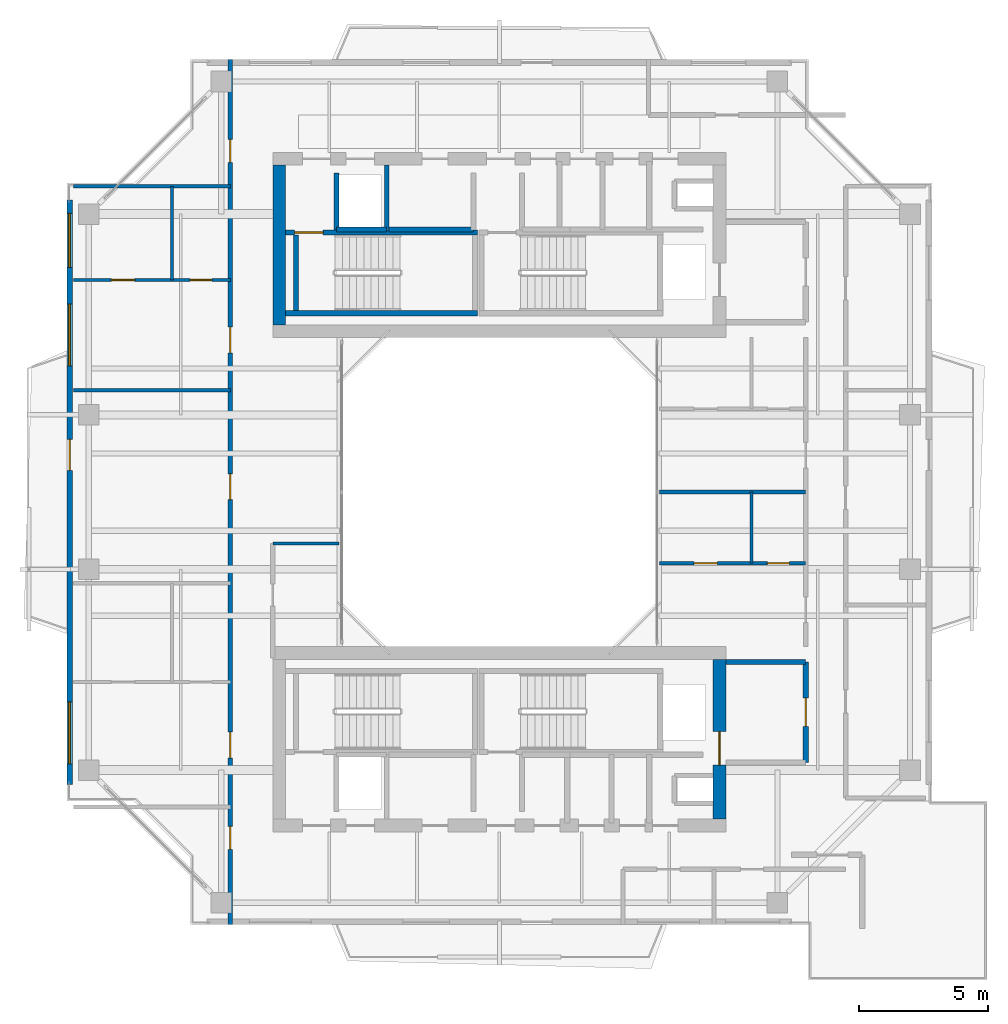
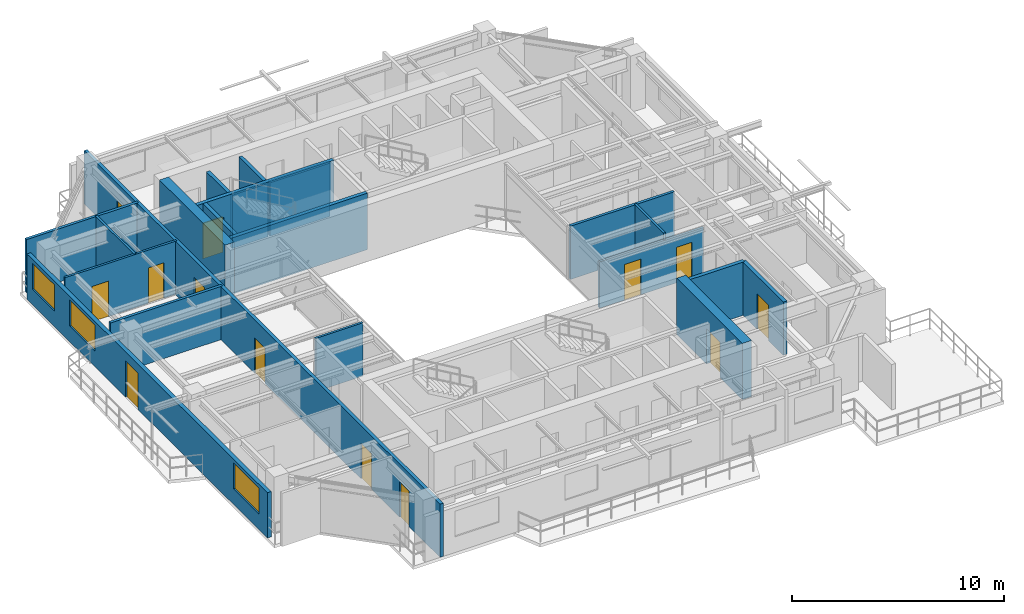
# One storey, part 11 of 16: 21 walls, 13 doors, 3 windows, 16 openings.
"""IFC4 building model written with IfcOpenShell, lengths in metres."""

from ifc_helpers import new_model, si_unit, direction, frame, frame_2d, origin, place, context, subcontext, project, spatial, rectangle, extrude, source, transform, mapped, material, layer, layer_set, type_object, element, fill, save


model = new_model("IFC4")

# Units and contexts
model_context = context("Model", 3, precision=1e-05, world=origin(), true_north=direction((0.0, 1.0)))
body_context = subcontext(model_context, "Body", "Model", "MODEL_VIEW")
ifc_project = project(units=[si_unit("LENGTHUNIT", "METRE"), si_unit("AREAUNIT", "SQUARE_METRE"), si_unit("VOLUMEUNIT", "CUBIC_METRE"), si_unit("PLANEANGLEUNIT", "RADIAN"), si_unit("MASSUNIT", "GRAM", prefix="KILO"), si_unit("THERMODYNAMICTEMPERATUREUNIT", "KELVIN"), si_unit("POWERUNIT", "WATT")], contexts=[model_context])

# Site, building, storey
site_placement = place(None, origin())
site = spatial("IfcSite", under=ifc_project, at=site_placement, CompositionType="ELEMENT")
building_placement = place(site_placement, origin())
building = spatial("IfcBuilding", under=site, at=building_placement, Name="Qiaomeng Ring Towers", CompositionType="ELEMENT")
storey_placement = place(building_placement, frame((0.0, 0.0, 203.5)))
storey = spatial("IfcBuildingStorey", under=building, at=storey_placement, Name="L59", CompositionType="ELEMENT", Elevation=203.5)

# Wall, openings, windows, door
ifc_material_1 = material(Name="Precast concrete C40", Category="concrete")
ifc_layer_1 = layer(ifc_material_1, 0.219970703125, Name="Precast concrete C40")
ifc_layer_set_1 = layer_set([ifc_layer_1], Name="Precast concrete C40")
wall_type_1 = type_object("IfcWallType", Name="ARC-WL-EW2", PredefinedType="STANDARD", material=ifc_layer_set_1)
wall_1_placement = place(storey_placement, frame((2.31005859375, 11.64990234375, 0.0), z_axis=(0.0, 0.0, 1.0), x_axis=(0.0, 1.0, 0.0)))
wall_1 = element("IfcWall", 1, at=wall_1_placement, inside=storey, type_object=wall_type_1, Name="L59 Tower 1 W Exterior Wall", PredefinedType="STANDARD", context=body_context, shape_type="SweptSolid", body=[
    extrude(rectangle(XDim=22.7001953125, YDim=0.219970703125, at=frame_2d((11.35009765625, 0.0))), origin(), (0.0, 0.0, 1.0), 2.610107421875),
])
opening_1_placement = place(wall_1_placement, frame((12.199951171875, 0.0, 0.0)))
opening_1 = element("IfcOpeningElement", 2, at=opening_1_placement, cuts=wall_1, Name="Opening BD1", PredefinedType="OPENING", context=body_context, shape_type="SweptSolid", body=[
    extrude(rectangle(XDim=1.199951171875, YDim=2.10009765625, at=frame_2d((0.60009765625, 1.050048828125))), frame((0.0, 0.119873046875, 0.0), z_axis=(0.0, -1.0, 0.0), x_axis=(1.0, 0.0, 0.0)), (0.0, 0.0, 1.0), 0.239990234375),
])
opening_2_placement = place(wall_1_placement, frame((0.800048828125, 0.0, 0.89990234375)))
opening_2 = element("IfcOpeningElement", 3, at=opening_2_placement, cuts=wall_1, Name="Opening WN6", PredefinedType="OPENING", context=body_context, shape_type="SweptSolid", body=[
    extrude(rectangle(XDim=2.39990234375, YDim=1.5, at=frame_2d((1.199951171875, 0.75))), frame((0.0, 0.119873046875, 0.0), z_axis=(0.0, -1.0, 0.0), x_axis=(1.0, 0.0, 0.0)), (0.0, 0.0, 1.0), 0.239990234375),
])
opening_3_placement = place(wall_1_placement, frame((20.080078125, 0.0, 0.89990234375)))
opening_3 = element("IfcOpeningElement", 4, at=opening_3_placement, cuts=wall_1, Name="Opening WN4", PredefinedType="OPENING", context=body_context, shape_type="SweptSolid", body=[
    extrude(rectangle(XDim=2.10009765625, YDim=1.5, at=frame_2d((1.050048828125, 0.75))), frame((0.0, 0.119873046875, 0.0), z_axis=(0.0, -1.0, 0.0), x_axis=(1.0, 0.0, 0.0)), (0.0, 0.0, 1.0), 0.239990234375),
])
opening_4_placement = place(wall_1_placement, frame((16.257568359375, 0.0, 0.89990234375)))
opening_4 = element("IfcOpeningElement", 5, at=opening_4_placement, cuts=wall_1, Name="Opening WN6", PredefinedType="OPENING", context=body_context, shape_type="SweptSolid", body=[
    extrude(rectangle(XDim=2.39990234375, YDim=1.5, at=frame_2d((1.199951171875, 0.75))), frame((0.0, 0.119873046875, 0.0), z_axis=(0.0, -1.0, 0.0), x_axis=(1.0, 0.0, 0.0)), (0.0, 0.0, 1.0), 0.239990234375),
])
ifc_material_2 = material(Name="Low-E dark-grey laminated double glazing", Category="glass")
window_type_1 = type_object("IfcWindowType", Name="ARC-WN-4", PartitioningType="TRIPLE_PANEL_VERTICAL", PredefinedType="WINDOW", material=ifc_material_2)
shared_shape_1 = source(origin(), body_context, "Body", "SweptSolid", [
    extrude(rectangle(XDim=2.10009765625, YDim=1.5, at=frame_2d((1.050048828125, 0.75))), frame((0.0, 0.030029296875, 0.0), z_axis=(0.0, -1.0, 0.0), x_axis=(1.0, 0.0, 0.0)), (0.0, 0.0, 1.0), 0.06005859375),
])
window_1_placement = place(opening_3_placement, origin())
window_1 = element("IfcWindow", 6, at=window_1_placement, inside=storey, type_object=window_type_1, Name="L59 Exterior Window WN4", OverallHeight=1.5, OverallWidth=2.10009765625, PartitioningType="TRIPLE_PANEL_VERTICAL", PredefinedType="WINDOW", context=body_context, shape_type="MappedRepresentation", body=[
    mapped(shared_shape_1, transform((0.0, 0.0, 0.0), x_axis=(1.0, 0.0, 0.0), y_axis=(0.0, 1.0, 0.0), z_axis=(0.0, 0.0, 1.0), scale=1.0)),
])
fill(opening_3, window_1)
door_type_1 = type_object("IfcDoorType", Name="ARC-DR-BD1", OperationType="NOTDEFINED", PredefinedType="DOOR", material=ifc_material_2)
shared_shape_2 = source(origin(), body_context, "Body", "SweptSolid", [
    extrude(rectangle(XDim=1.199951171875, YDim=2.10009765625, at=frame_2d((0.60009765625, 1.050048828125))), frame((0.0, 0.02490234375, 0.0), z_axis=(0.0, -1.0, 0.0), x_axis=(1.0, 0.0, 0.0)), (0.0, 0.0, 1.0), 0.050048828125),
])
door_1_placement = place(opening_1_placement, frame((1.199951171875, 0.0, 0.0), z_axis=(0.0, 0.0, 1.0), x_axis=(-1.0, 0.0, 0.0)))
door_1 = element("IfcDoor", 7, at=door_1_placement, inside=storey, type_object=door_type_1, Name="L59 W Balcony Glazed Door", OperationType="SINGLE_SWING_LEFT", OverallHeight=2.10009765625, OverallWidth=1.199951171875, PredefinedType="DOOR", context=body_context, shape_type="MappedRepresentation", body=[
    mapped(shared_shape_2, transform((0.0, 0.0, 0.0), x_axis=(1.0, 0.0, 0.0), y_axis=(0.0, 1.0, 0.0), z_axis=(0.0, 0.0, 1.0), scale=1.0)),
])
fill(opening_1, door_1)
window_type_2 = type_object("IfcWindowType", Name="ARC-WN-6", PartitioningType="TRIPLE_PANEL_VERTICAL", PredefinedType="WINDOW", material=ifc_material_2)
shared_shape_3 = source(origin(), body_context, "Body", "SweptSolid", [
    extrude(rectangle(XDim=2.39990234375, YDim=1.5, at=frame_2d((1.199951171875, 0.75))), frame((0.0, 0.030029296875, 0.0), z_axis=(0.0, -1.0, 0.0), x_axis=(1.0, 0.0, 0.0)), (0.0, 0.0, 1.0), 0.06005859375),
])
window_2_placement = place(opening_2_placement, origin())
window_2 = element("IfcWindow", 8, at=window_2_placement, inside=storey, type_object=window_type_2, Name="L59 Exterior Window WN6", OverallHeight=1.5, OverallWidth=2.39990234375, PartitioningType="TRIPLE_PANEL_VERTICAL", PredefinedType="WINDOW", context=body_context, shape_type="MappedRepresentation", body=[
    mapped(shared_shape_3, transform((0.0, 0.0, 0.0), x_axis=(1.0, 0.0, 0.0), y_axis=(0.0, 1.0, 0.0), z_axis=(0.0, 0.0, 1.0), scale=1.0)),
])
fill(opening_2, window_2)
window_3_placement = place(opening_4_placement, origin())
window_3 = element("IfcWindow", 9, at=window_3_placement, inside=storey, type_object=window_type_2, Name="L59 Exterior Window WN6", OverallHeight=1.5, OverallWidth=2.39990234375, PartitioningType="TRIPLE_PANEL_VERTICAL", PredefinedType="WINDOW", context=body_context, shape_type="MappedRepresentation", body=[
    mapped(shared_shape_3, transform((0.0, 0.0, 0.0), x_axis=(1.0, 0.0, 0.0), y_axis=(0.0, 1.0, 0.0), z_axis=(0.0, 0.0, 1.0), scale=1.0)),
])
fill(opening_4, window_3)

# Wall
ifc_material_3 = material(Name="Autoclaved aerated concrete block", Category="concrete")
ifc_layer_2 = layer(ifc_material_3, 0.199951171875, Name="Autoclaved aerated concrete block")
ifc_layer_set_2 = layer_set([ifc_layer_2], Name="Autoclaved aerated concrete block")
wall_type_2 = type_object("IfcWallType", Name="ARC-WL-PW1", PredefinedType="PARTITIONING", material=ifc_layer_set_2)
wall_2_placement = place(storey_placement, frame((27.800048828125, 16.39990234375, 0.0), z_axis=(0.0, 0.0, 1.0), x_axis=(1.0, 0.0, 0.0)))
element("IfcWall", 10, at=wall_2_placement, inside=storey, type_object=wall_type_2, Name="L59 Interior Wall PW1", PredefinedType="PARTITIONING", context=body_context, shape_type="SweptSolid", body=[
    extrude(rectangle(XDim=3.099853515625, YDim=0.199951171875, at=frame_2d((1.5498046875, 0.0))), origin(), (0.0, 0.0, 1.0), 3.070068359375),
])

# Wall, opening, door
wall_3_placement = place(storey_placement, frame((30.89990234375, 12.5, 0.0), z_axis=(0.0, 0.0, 1.0), x_axis=(0.0, 1.0, 0.0)))
wall_3 = element("IfcWall", 11, at=wall_3_placement, inside=storey, type_object=wall_type_2, Name="L59 Interior Wall PW1", PredefinedType="PARTITIONING", context=body_context, shape_type="SweptSolid", body=[
    extrude(rectangle(XDim=3.89990234375, YDim=0.199951171875, at=frame_2d((1.949951171875, 0.0))), origin(), (0.0, 0.0, 1.0), 3.070068359375),
])
opening_5_placement = place(wall_3_placement, frame((1.39990234375, 0.0, 0.0)))
opening_5 = element("IfcOpeningElement", 12, at=opening_5_placement, cuts=wall_3, Name="Opening FD3", PredefinedType="OPENING", context=body_context, shape_type="SweptSolid", body=[
    extrude(rectangle(XDim=1.10009765625, YDim=2.050048828125, at=frame_2d((0.550048828125, 1.02490234375))), frame((0.0, 0.10986328125, 0.0), z_axis=(0.0, -1.0, 0.0), x_axis=(1.0, 0.0, 0.0)), (0.0, 0.0, 1.0), 0.219970703125),
])
ifc_material_4 = material(Name="Galvanised steel", Category="steel")
door_type_2 = type_object("IfcDoorType", Name="ARC-DR-FD3", OperationType="NOTDEFINED", PredefinedType="DOOR", material=ifc_material_4)
shared_shape_4 = source(origin(), body_context, "Body", "SweptSolid", [
    extrude(rectangle(XDim=1.10009765625, YDim=2.050048828125, at=frame_2d((0.550048828125, 1.02490234375))), frame((0.0, 0.02490234375, 0.0), z_axis=(0.0, -1.0, 0.0), x_axis=(1.0, 0.0, 0.0)), (0.0, 0.0, 1.0), 0.050048828125),
])
door_2_placement = place(opening_5_placement, origin())
door_2 = element("IfcDoor", 13, at=door_2_placement, inside=storey, type_object=door_type_2, Name="L59 South FF Lobby Door", OperationType="SINGLE_SWING_RIGHT", OverallHeight=2.050048828125, OverallWidth=1.10009765625, PredefinedType="DOOR", context=body_context, shape_type="MappedRepresentation", body=[
    mapped(shared_shape_4, transform((0.0, 0.0, 0.0), x_axis=(1.0, 0.0, 0.0), y_axis=(0.0, 1.0, 0.0), z_axis=(0.0, 0.0, 1.0), scale=1.0)),
])
fill(opening_5, door_2)

# Walls
wall_4_placement = place(storey_placement, frame((12.679931640625, 33.18994140625, 0.0), z_axis=(0.0, 0.0, 1.0), x_axis=(0.0, 1.0, 0.0)))
element("IfcWall", 14, at=wall_4_placement, inside=storey, type_object=wall_type_2, Name="L59 Interior Wall PW1", PredefinedType="PARTITIONING", context=body_context, shape_type="SweptSolid", body=[
    extrude(rectangle(XDim=2.2099609375, YDim=0.199951171875, at=frame_2d((1.10498046875, 0.0))), origin(), (0.0, 0.0, 1.0), 3.070068359375),
])
wall_5_placement = place(storey_placement, frame((14.719970703125, 33.199951171875, 0.0), z_axis=(0.0, 0.0, 1.0), x_axis=(1.0, 0.0, 0.0)))
element("IfcWall", 15, at=wall_5_placement, inside=storey, type_object=wall_type_2, Name="L59 Interior Wall PW1", PredefinedType="PARTITIONING", context=body_context, shape_type="SweptSolid", body=[
    extrude(rectangle(XDim=3.280029296875, YDim=0.199951171875, at=frame_2d((1.64013671875, 0.0))), origin(), (0.0, 0.0, 1.0), 3.070068359375),
])

# Wall, openings, doors
ifc_layer_3 = layer(ifc_material_3, 0.179931640625, Name="Autoclaved aerated concrete block")
ifc_layer_set_3 = layer_set([ifc_layer_3], Name="Autoclaved aerated concrete block")
wall_type_3 = type_object("IfcWallType", Name="ARC-WL-PW2", PredefinedType="PARTITIONING", material=ifc_layer_set_3)
wall_6_placement = place(storey_placement, frame((8.550048828125, 6.199951171875, 0.0), z_axis=(0.0, 0.0, 1.0), x_axis=(0.0, 1.0, 0.0)))
wall_6 = element("IfcWall", 16, at=wall_6_placement, inside=storey, type_object=wall_type_3, Name="L59 Interior Wall PW2", PredefinedType="PARTITIONING", context=body_context, shape_type="SweptSolid", body=[
    extrude(rectangle(XDim=33.60009765625, YDim=0.179931640625, at=frame_2d((16.800048828125, 0.0))), origin(), (0.0, 0.0, 1.0), 3.070068359375),
])
opening_6_placement = place(wall_6_placement, frame((29.60498046875, 0.0, 0.0)))
opening_6 = element("IfcOpeningElement", 17, at=opening_6_placement, cuts=wall_6, Name="Opening ID1", PredefinedType="OPENING", context=body_context, shape_type="SweptSolid", body=[
    extrude(rectangle(XDim=0.89990234375, YDim=2.050048828125, at=frame_2d((0.449951171875, 1.02490234375))), frame((0.0, 0.099853515625, 0.0), z_axis=(0.0, -1.0, 0.0), x_axis=(1.0, 0.0, 0.0)), (0.0, 0.0, 1.0), 0.199951171875),
])
opening_7_placement = place(wall_6_placement, frame((2.919921875, 0.0, 0.0)))
opening_7 = element("IfcOpeningElement", 18, at=opening_7_placement, cuts=wall_6, Name="Opening ID1", PredefinedType="OPENING", context=body_context, shape_type="SweptSolid", body=[
    extrude(rectangle(XDim=0.89990234375, YDim=2.050048828125, at=frame_2d((0.449951171875, 1.02490234375))), frame((0.0, 0.099853515625, 0.0), z_axis=(0.0, -1.0, 0.0), x_axis=(1.0, 0.0, 0.0)), (0.0, 0.0, 1.0), 0.199951171875),
])
opening_8_placement = place(wall_6_placement, frame((6.47998046875, 0.0, 0.0)))
opening_8 = element("IfcOpeningElement", 19, at=opening_8_placement, cuts=wall_6, Name="Opening FD4", PredefinedType="OPENING", context=body_context, shape_type="SweptSolid", body=[
    extrude(rectangle(XDim=1.0, YDim=2.050048828125, at=frame_2d((0.5, 1.02490234375))), frame((0.0, 0.099853515625, 0.0), z_axis=(0.0, -1.0, 0.0), x_axis=(1.0, 0.0, 0.0)), (0.0, 0.0, 1.0), 0.199951171875),
])
opening_9_placement = place(wall_6_placement, frame((16.510009765625, 0.0, 0.0)))
opening_9 = element("IfcOpeningElement", 20, at=opening_9_placement, cuts=wall_6, Name="Opening FD4", PredefinedType="OPENING", context=body_context, shape_type="SweptSolid", body=[
    extrude(rectangle(XDim=1.0, YDim=2.050048828125, at=frame_2d((0.5, 1.02490234375))), frame((0.0, 0.099853515625, 0.0), z_axis=(0.0, -1.0, 0.0), x_axis=(1.0, 0.0, 0.0)), (0.0, 0.0, 1.0), 0.199951171875),
])
opening_10_placement = place(wall_6_placement, frame((22.2099609375, 0.0, 0.0)))
opening_10 = element("IfcOpeningElement", 21, at=opening_10_placement, cuts=wall_6, Name="Opening FD4", PredefinedType="OPENING", context=body_context, shape_type="SweptSolid", body=[
    extrude(rectangle(XDim=1.0, YDim=2.050048828125, at=frame_2d((0.5, 1.02490234375))), frame((0.0, 0.099853515625, 0.0), z_axis=(0.0, -1.0, 0.0), x_axis=(1.0, 0.0, 0.0)), (0.0, 0.0, 1.0), 0.199951171875),
])
ifc_material_5 = material(Name="Engineered fire-rated oak timber", Category="wood")
door_type_3 = type_object("IfcDoorType", Name="ARC-DR-FD4", OperationType="NOTDEFINED", PredefinedType="DOOR", material=ifc_material_5)
shared_shape_5 = source(origin(), body_context, "Body", "SweptSolid", [
    extrude(rectangle(XDim=1.0, YDim=2.050048828125, at=frame_2d((0.5, 1.02490234375))), frame((0.0, 0.02490234375, 0.0), z_axis=(0.0, -1.0, 0.0), x_axis=(1.0, 0.0, 0.0)), (0.0, 0.0, 1.0), 0.050048828125),
])
door_3_placement = place(opening_8_placement, origin())
door_3 = element("IfcDoor", 22, at=door_3_placement, inside=storey, type_object=door_type_3, Name="L59 Door FD4", OperationType="SINGLE_SWING_RIGHT", OverallHeight=2.050048828125, OverallWidth=1.0, PredefinedType="DOOR", context=body_context, shape_type="MappedRepresentation", body=[
    mapped(shared_shape_5, transform((0.0, 0.0, 0.0), x_axis=(1.0, 0.0, 0.0), y_axis=(0.0, 1.0, 0.0), z_axis=(0.0, 0.0, 1.0), scale=1.0)),
])
fill(opening_8, door_3)
door_4_placement = place(opening_9_placement, origin())
door_4 = element("IfcDoor", 23, at=door_4_placement, inside=storey, type_object=door_type_3, Name="L59 Door FD4", OperationType="SINGLE_SWING_LEFT", OverallHeight=2.050048828125, OverallWidth=1.0, PredefinedType="DOOR", context=body_context, shape_type="MappedRepresentation", body=[
    mapped(shared_shape_5, transform((0.0, 0.0, 0.0), x_axis=(1.0, 0.0, 0.0), y_axis=(0.0, 1.0, 0.0), z_axis=(0.0, 0.0, 1.0), scale=1.0)),
])
fill(opening_9, door_4)
door_5_placement = place(opening_10_placement, origin())
door_5 = element("IfcDoor", 24, at=door_5_placement, inside=storey, type_object=door_type_3, Name="L59 Door FD4", OperationType="SINGLE_SWING_RIGHT", OverallHeight=2.050048828125, OverallWidth=1.0, PredefinedType="DOOR", context=body_context, shape_type="MappedRepresentation", body=[
    mapped(shared_shape_5, transform((0.0, 0.0, 0.0), x_axis=(1.0, 0.0, 0.0), y_axis=(0.0, 1.0, 0.0), z_axis=(0.0, 0.0, 1.0), scale=1.0)),
])
fill(opening_10, door_5)
ifc_material_6 = material(Name="Engineered oak timber", Category="wood")
door_type_4 = type_object("IfcDoorType", Name="ARC-DR-ID1", OperationType="NOTDEFINED", PredefinedType="DOOR", material=ifc_material_6)
shared_shape_6 = source(origin(), body_context, "Body", "SweptSolid", [
    extrude(rectangle(XDim=0.89990234375, YDim=2.050048828125, at=frame_2d((0.449951171875, 1.02490234375))), frame((0.0, 0.02490234375, 0.0), z_axis=(0.0, -1.0, 0.0), x_axis=(1.0, 0.0, 0.0)), (0.0, 0.0, 1.0), 0.050048828125),
])
door_6_placement = place(opening_6_placement, origin())
door_6 = element("IfcDoor", 25, at=door_6_placement, inside=storey, type_object=door_type_4, Name="L59 Door ID1", OperationType="SINGLE_SWING_RIGHT", OverallHeight=2.050048828125, OverallWidth=0.89990234375, PredefinedType="DOOR", context=body_context, shape_type="MappedRepresentation", body=[
    mapped(shared_shape_6, transform((0.0, 0.0, 0.0), x_axis=(1.0, 0.0, 0.0), y_axis=(0.0, 1.0, 0.0), z_axis=(0.0, 0.0, 1.0), scale=1.0)),
])
fill(opening_6, door_6)
door_7_placement = place(opening_7_placement, origin())
door_7 = element("IfcDoor", 26, at=door_7_placement, inside=storey, type_object=door_type_4, Name="L59 Door ID1", OperationType="SINGLE_SWING_LEFT", OverallHeight=2.050048828125, OverallWidth=0.89990234375, PredefinedType="DOOR", context=body_context, shape_type="MappedRepresentation", body=[
    mapped(shared_shape_6, transform((0.0, 0.0, 0.0), x_axis=(1.0, 0.0, 0.0), y_axis=(0.0, 1.0, 0.0), z_axis=(0.0, 0.0, 1.0), scale=1.0)),
])
fill(opening_7, door_7)

# Walls
ifc_material_7 = material(Name="Gypsum fireboard steel-stud partition", Category="steel")
ifc_layer_4 = layer(ifc_material_7, 0.14990234375, Name="Gypsum fireboard steel-stud partition")
ifc_layer_set_4 = layer_set([ifc_layer_4], Name="Gypsum fireboard steel-stud partition")
wall_type_4 = type_object("IfcWallType", Name="ARC-WL-PW3", PredefinedType="PARTITIONING", material=ifc_layer_set_4)
for number, where, z_axis, x_axis, name in (
    (27, (2.449951171875, 34.8798828125, 0.0), (0.0, 0.0, 1.0), (1.0, 0.0, 0.0), "L59 Interior Wall PW3"),
    (28, (2.449951171875, 26.9599609375, 0.0), (0.0, 0.0, 1.0), (1.0, 0.0, 0.0), "L59 Interior Wall PW3"),
):
    element("IfcWall", number, at=place(storey_placement, frame(where, z_axis=z_axis, x_axis=x_axis)), inside=storey, type_object=wall_type_4, Name=name, PredefinedType="PARTITIONING", context=body_context, shape_type="SweptSolid", body=[
        extrude(rectangle(XDim=6.10009765625, YDim=0.14990234375, at=frame_2d((3.050048828125, 0.0))), origin(), (0.0, 0.0, 1.0), 3.070068359375),
    ])
wall_7_placement = place(storey_placement, frame((25.219970703125, 23.0, 0.0), z_axis=(0.0, 0.0, 1.0), x_axis=(1.0, 0.0, 0.0)))
element("IfcWall", 29, at=wall_7_placement, inside=storey, type_object=wall_type_4, Name="L59 Interior Wall PW3", PredefinedType="PARTITIONING", context=body_context, shape_type="SweptSolid", body=[
    extrude(rectangle(XDim=5.679931640625, YDim=0.14990234375, at=frame_2d((2.83984375, 0.0))), origin(), (0.0, 0.0, 1.0), 3.070068359375),
])

# Wall, openings, doors
ifc_material_8 = material(Name="Moisture-resistant gypsum steel-stud partition", Category="steel")
ifc_layer_5 = layer(ifc_material_8, 0.1201171875, Name="Moisture-resistant gypsum steel-stud partition")
ifc_layer_set_5 = layer_set([ifc_layer_5], Name="Moisture-resistant gypsum steel-stud partition")
wall_type_5 = type_object("IfcWallType", Name="ARC-WL-PW4", PredefinedType="PLUMBINGWALL", material=ifc_layer_set_5)
wall_8_placement = place(storey_placement, frame((2.449951171875, 31.239990234375, 0.0), z_axis=(0.0, 0.0, 1.0), x_axis=(1.0, 0.0, 0.0)))
wall_8 = element("IfcWall", 30, at=wall_8_placement, inside=storey, type_object=wall_type_5, Name="L59 Interior Wall PW4", PredefinedType="PLUMBINGWALL", context=body_context, shape_type="SweptSolid", body=[
    extrude(rectangle(XDim=6.10009765625, YDim=0.1201171875, at=frame_2d((3.050048828125, 0.0))), origin(), (0.0, 0.0, 1.0), 3.070068359375),
])
opening_11_placement = place(wall_8_placement, frame((1.47998046875, 0.0, 0.0)))
opening_11 = element("IfcOpeningElement", 31, at=opening_11_placement, cuts=wall_8, Name="Opening ID1", PredefinedType="OPENING", context=body_context, shape_type="SweptSolid", body=[
    extrude(rectangle(XDim=0.89990234375, YDim=2.050048828125, at=frame_2d((0.449951171875, 1.02490234375))), frame((0.0, 0.070068359375, 0.0), z_axis=(0.0, -1.0, 0.0), x_axis=(1.0, 0.0, 0.0)), (0.0, 0.0, 1.0), 0.14013671875),
])
opening_12_placement = place(wall_8_placement, frame((4.534912109375, 0.0, 0.0)))
opening_12 = element("IfcOpeningElement", 32, at=opening_12_placement, cuts=wall_8, Name="Opening ID2", PredefinedType="OPENING", context=body_context, shape_type="SweptSolid", body=[
    extrude(rectangle(XDim=0.85009765625, YDim=2.050048828125, at=frame_2d((0.425048828125, 1.02490234375))), frame((0.0, 0.070068359375, 0.0), z_axis=(0.0, -1.0, 0.0), x_axis=(1.0, 0.0, 0.0)), (0.0, 0.0, 1.0), 0.14013671875),
])
ifc_material_9 = material(Name="Moisture-resistant engineered timber", Category="wood")
door_type_5 = type_object("IfcDoorType", Name="ARC-DR-ID2", OperationType="NOTDEFINED", PredefinedType="DOOR", material=ifc_material_9)
shared_shape_7 = source(origin(), body_context, "Body", "SweptSolid", [
    extrude(rectangle(XDim=0.85009765625, YDim=2.050048828125, at=frame_2d((0.425048828125, 1.02490234375))), frame((0.0, 0.02490234375, 0.0), z_axis=(0.0, -1.0, 0.0), x_axis=(1.0, 0.0, 0.0)), (0.0, 0.0, 1.0), 0.050048828125),
])
door_8_placement = place(opening_12_placement, origin())
door_8 = element("IfcDoor", 33, at=door_8_placement, inside=storey, type_object=door_type_5, Name="L59 Door ID2", OperationType="SINGLE_SWING_LEFT", OverallHeight=2.050048828125, OverallWidth=0.85009765625, PredefinedType="DOOR", context=body_context, shape_type="MappedRepresentation", body=[
    mapped(shared_shape_7, transform((0.0, 0.0, 0.0), x_axis=(1.0, 0.0, 0.0), y_axis=(0.0, 1.0, 0.0), z_axis=(0.0, 0.0, 1.0), scale=1.0)),
])
fill(opening_12, door_8)
door_9_placement = place(opening_11_placement, origin())
door_9 = element("IfcDoor", 34, at=door_9_placement, inside=storey, type_object=door_type_4, Name="L59 Door ID1", OperationType="SINGLE_SWING_RIGHT", OverallHeight=2.050048828125, OverallWidth=0.89990234375, PredefinedType="DOOR", context=body_context, shape_type="MappedRepresentation", body=[
    mapped(shared_shape_6, transform((0.0, 0.0, 0.0), x_axis=(1.0, 0.0, 0.0), y_axis=(0.0, 1.0, 0.0), z_axis=(0.0, 0.0, 1.0), scale=1.0)),
])
fill(opening_11, door_9)

# Walls
wall_9_placement = place(storey_placement, frame((6.2900390625, 31.239990234375, 0.0), z_axis=(0.0, 0.0, 1.0), x_axis=(0.0, 1.0, 0.0)))
element("IfcWall", 35, at=wall_9_placement, inside=storey, type_object=wall_type_5, Name="L59 Interior Wall PW4", PredefinedType="PLUMBINGWALL", context=body_context, shape_type="SweptSolid", body=[
    extrude(rectangle(XDim=3.639892578125, YDim=0.1201171875, at=frame_2d((1.81982421875, 0.0))), origin(), (0.0, 0.0, 1.0), 3.070068359375),
])
wall_10_placement = place(storey_placement, frame((10.199951171875, 21.0, 0.0), z_axis=(0.0, 0.0, 1.0), x_axis=(1.0, 0.0, 0.0)))
element("IfcWall", 36, at=wall_10_placement, inside=storey, type_object=wall_type_5, Name="L59 Interior Wall PW4", PredefinedType="PLUMBINGWALL", context=body_context, shape_type="SweptSolid", body=[
    extrude(rectangle(XDim=2.580078125, YDim=0.1201171875, at=frame_2d((1.2900390625, 0.0))), origin(), (0.0, 0.0, 1.0), 3.070068359375),
])

# Wall, openings, doors
wall_11_placement = place(storey_placement, frame((25.219970703125, 20.239990234375, 0.0), z_axis=(0.0, 0.0, 1.0), x_axis=(1.0, 0.0, 0.0)))
wall_11 = element("IfcWall", 37, at=wall_11_placement, inside=storey, type_object=wall_type_5, Name="L59 Interior Wall PW4", PredefinedType="PLUMBINGWALL", context=body_context, shape_type="SweptSolid", body=[
    extrude(rectangle(XDim=5.679931640625, YDim=0.1201171875, at=frame_2d((2.83984375, 0.0))), origin(), (0.0, 0.0, 1.0), 2.675048828125),
])
opening_13_placement = place(wall_11_placement, frame((1.35009765625, 0.0, 0.0)))
opening_13 = element("IfcOpeningElement", 38, at=opening_13_placement, cuts=wall_11, Name="Opening ID1", PredefinedType="OPENING", context=body_context, shape_type="SweptSolid", body=[
    extrude(rectangle(XDim=0.89990234375, YDim=2.050048828125, at=frame_2d((0.449951171875, 1.02490234375))), frame((0.0, 0.070068359375, 0.0), z_axis=(0.0, -1.0, 0.0), x_axis=(1.0, 0.0, 0.0)), (0.0, 0.0, 1.0), 0.14013671875),
])
opening_14_placement = place(wall_11_placement, frame((4.195068359375, 0.0, 0.0)))
opening_14 = element("IfcOpeningElement", 39, at=opening_14_placement, cuts=wall_11, Name="Opening ID2", PredefinedType="OPENING", context=body_context, shape_type="SweptSolid", body=[
    extrude(rectangle(XDim=0.85009765625, YDim=2.050048828125, at=frame_2d((0.425048828125, 1.02490234375))), frame((0.0, 0.070068359375, 0.0), z_axis=(0.0, -1.0, 0.0), x_axis=(1.0, 0.0, 0.0)), (0.0, 0.0, 1.0), 0.14013671875),
])
door_10_placement = place(opening_14_placement, origin())
door_10 = element("IfcDoor", 40, at=door_10_placement, inside=storey, type_object=door_type_5, Name="L59 Door ID2", OperationType="SINGLE_SWING_LEFT", OverallHeight=2.050048828125, OverallWidth=0.85009765625, PredefinedType="DOOR", context=body_context, shape_type="MappedRepresentation", body=[
    mapped(shared_shape_7, transform((0.0, 0.0, 0.0), x_axis=(1.0, 0.0, 0.0), y_axis=(0.0, 1.0, 0.0), z_axis=(0.0, 0.0, 1.0), scale=1.0)),
])
fill(opening_14, door_10)
door_11_placement = place(opening_13_placement, origin())
door_11 = element("IfcDoor", 41, at=door_11_placement, inside=storey, type_object=door_type_4, Name="L59 Door ID1", OperationType="SINGLE_SWING_RIGHT", OverallHeight=2.050048828125, OverallWidth=0.89990234375, PredefinedType="DOOR", context=body_context, shape_type="MappedRepresentation", body=[
    mapped(shared_shape_6, transform((0.0, 0.0, 0.0), x_axis=(1.0, 0.0, 0.0), y_axis=(0.0, 1.0, 0.0), z_axis=(0.0, 0.0, 1.0), scale=1.0)),
])
fill(opening_13, door_11)

# Walls
wall_12_placement = place(storey_placement, frame((28.800048828125, 20.239990234375, 0.0), z_axis=(0.0, 0.0, 1.0), x_axis=(0.0, 1.0, 0.0)))
element("IfcWall", 42, at=wall_12_placement, inside=storey, type_object=wall_type_5, Name="L59 Interior Wall PW4", PredefinedType="PLUMBINGWALL", context=body_context, shape_type="SweptSolid", body=[
    extrude(rectangle(XDim=2.760009765625, YDim=0.1201171875, at=frame_2d((1.3798828125, 0.0))), origin(), (0.0, 0.0, 1.0), 3.070068359375),
])
ifc_material_10 = material(Name="Concrete C40", Category="concrete")
ifc_layer_6 = layer(ifc_material_10, 0.199951171875, Name="Concrete C40")
ifc_layer_set_6 = layer_set([ifc_layer_6], Name="Concrete C40")
wall_type_6 = type_object("IfcWallType", Name="STR-WL-STSHAFT", PredefinedType="SHEAR", material=ifc_layer_set_6)
wall_13_placement = place(storey_placement, frame((12.679931640625, 33.199951171875, 0.0), z_axis=(0.0, 0.0, 1.0), x_axis=(1.0, 0.0, 0.0)))
element("IfcWall", 43, at=wall_13_placement, inside=storey, type_object=wall_type_6, Name="L59 Lift LP5 Shaft Back Wall", PredefinedType="SHEAR", context=body_context, shape_type="SweptSolid", body=[
    extrude(rectangle(XDim=1.940185546875, YDim=0.179931640625, at=frame_2d((0.97021484375, 0.0))), origin(), (0.0, 0.0, 1.0), 3.070068359375),
])
wall_14_placement = place(storey_placement, frame((14.6201171875, 33.199951171875, 0.0), z_axis=(0.0, 0.0, 1.0), x_axis=(0.0, 1.0, 0.0)))
element("IfcWall", 44, at=wall_14_placement, inside=storey, type_object=wall_type_6, Name="L59 Lift LP5-LP3 Shaft Divider Wall", PredefinedType="SHEAR", context=body_context, shape_type="SweptSolid", body=[
    extrude(rectangle(XDim=2.5, YDim=0.179931640625, at=frame_2d((1.25, 0.0))), origin(), (0.0, 0.0, 1.0), 3.070068359375),
])
wall_15_placement = place(storey_placement, frame((10.699951171875, 29.949951171875, 0.0), z_axis=(0.0, 0.0, 1.0), x_axis=(1.0, 0.0, 0.0)))
element("IfcWall", 45, at=wall_15_placement, inside=storey, type_object=wall_type_6, Name="L59 Stair ST1 South Shaft Shear Wall", PredefinedType="SHEAR", context=body_context, shape_type="SweptSolid", body=[
    extrude(rectangle(XDim=7.449951171875, YDim=0.199951171875, at=frame_2d((3.72509765625, 0.0))), origin(), (0.0, 0.0, 1.0), 3.25),
])

# Wall, opening, door
wall_16_placement = place(storey_placement, frame((10.699951171875, 33.090087890625, 0.0), z_axis=(0.0, 0.0, 1.0), x_axis=(1.0, 0.0, 0.0)))
wall_16 = element("IfcWall", 46, at=wall_16_placement, inside=storey, type_object=wall_type_6, Name="L59 Stair ST1 North Shaft Shear Wall", PredefinedType="SHEAR", context=body_context, shape_type="SweptSolid", body=[
    extrude(rectangle(XDim=7.449951171875, YDim=0.199951171875, at=frame_2d((3.72509765625, 0.0))), origin(), (0.0, 0.0, 1.0), 3.25),
])
opening_15_placement = place(wall_16_placement, frame((0.35009765625, 0.0, 0.0)))
opening_15 = element("IfcOpeningElement", 47, at=opening_15_placement, cuts=wall_16, Name="Opening FD3", PredefinedType="OPENING", context=body_context, shape_type="SweptSolid", body=[
    extrude(rectangle(XDim=1.10009765625, YDim=2.050048828125, at=frame_2d((0.550048828125, 1.02490234375))), frame((0.0, 0.10986328125, 0.0), z_axis=(0.0, -1.0, 0.0), x_axis=(1.0, 0.0, 0.0)), (0.0, 0.0, 1.0), 0.219970703125),
])
door_12_placement = place(opening_15_placement, origin())
door_12 = element("IfcDoor", 48, at=door_12_placement, inside=storey, type_object=door_type_2, Name="L59 Stair ST1 Exit Door", OperationType="SINGLE_SWING_RIGHT", OverallHeight=2.050048828125, OverallWidth=1.10009765625, PredefinedType="DOOR", context=body_context, shape_type="MappedRepresentation", body=[
    mapped(shared_shape_4, transform((0.0, 0.0, 0.0), x_axis=(1.0, 0.0, 0.0), y_axis=(0.0, 1.0, 0.0), z_axis=(0.0, 0.0, 1.0), scale=1.0)),
])
fill(opening_15, door_12)

# Walls
wall_17_placement = place(storey_placement, frame((11.10009765625, 30.050048828125, 0.0), z_axis=(0.0, 0.0, 1.0), x_axis=(0.0, 1.0, 0.0)))
element("IfcWall", 49, at=wall_17_placement, inside=storey, type_object=wall_type_6, Name="L59 Stair ST1 West Shaft Shear Wall", PredefinedType="SHEAR", context=body_context, shape_type="SweptSolid", body=[
    extrude(rectangle(XDim=2.93994140625, YDim=0.199951171875, at=frame_2d((1.469970703125, 0.0))), origin(), (0.0, 0.0, 1.0), 3.25),
])
ifc_layer_7 = layer(ifc_material_10, 0.5, Name="Concrete C40")
ifc_layer_set_7 = layer_set([ifc_layer_7], Name="Concrete C40")
wall_type_7 = type_object("IfcWallType", Name="STR-WL-SW3", PredefinedType="SHEAR", material=ifc_layer_set_7)
wall_18_placement = place(storey_placement, frame((10.449951171875, 29.5, 0.0), z_axis=(0.0, 0.0, 1.0), x_axis=(0.0, 1.0, 0.0)))
element("IfcWall", 50, at=wall_18_placement, inside=storey, type_object=wall_type_7, Name="L59 T1NC west core shear wall", PredefinedType="SHEAR", context=body_context, shape_type="SweptSolid", body=[
    extrude(rectangle(XDim=6.199951171875, YDim=0.5, at=frame_2d((3.10009765625, 0.0))), origin(), (0.0, 0.0, 1.0), 3.25),
])

# Wall, opening, door
wall_19_placement = place(storey_placement, frame((27.550048828125, 10.300048828125, 0.0), z_axis=(0.0, 0.0, 1.0), x_axis=(0.0, 1.0, 0.0)))
wall_19 = element("IfcWall", 51, at=wall_19_placement, inside=storey, type_object=wall_type_7, Name="L59 T1SC east core shear wall", PredefinedType="SHEAR", context=body_context, shape_type="SweptSolid", body=[
    extrude(rectangle(XDim=6.199951171875, YDim=0.5, at=frame_2d((3.10009765625, 0.0))), origin(), (0.0, 0.0, 1.0), 3.25),
])
opening_16_placement = place(wall_19_placement, frame((2.10009765625, 0.0, 0.0)))
opening_16 = element("IfcOpeningElement", 52, at=opening_16_placement, cuts=wall_19, Name="Opening LD2", PredefinedType="OPENING", context=body_context, shape_type="SweptSolid", body=[
    extrude(rectangle(XDim=1.300048828125, YDim=2.050048828125, at=frame_2d((0.64990234375, 1.02490234375))), frame((0.0, 0.260009765625, 0.0), z_axis=(0.0, -1.0, 0.0), x_axis=(1.0, 0.0, 0.0)), (0.0, 0.0, 1.0), 0.52001953125),
])
ifc_material_11 = material(Name="Stainless steel 316", Category="steel")
door_type_6 = type_object("IfcDoorType", Name="ARC-DR-LD2", OperationType="NOTDEFINED", PredefinedType="DOOR", material=ifc_material_11)
shared_shape_8 = source(origin(), body_context, "Body", "SweptSolid", [
    extrude(rectangle(XDim=1.300048828125, YDim=2.050048828125, at=frame_2d((0.64990234375, 1.02490234375))), frame((0.0, 0.02490234375, 0.0), z_axis=(0.0, -1.0, 0.0), x_axis=(1.0, 0.0, 0.0)), (0.0, 0.0, 1.0), 0.050048828125),
])
door_13_placement = place(opening_16_placement, origin())
door_13 = element("IfcDoor", 53, at=door_13_placement, inside=storey, type_object=door_type_6, Name="L59 Firefighting Lift FL2 Landing Door", OperationType="SLIDING_TO_RIGHT", OverallHeight=2.050048828125, OverallWidth=1.300048828125, PredefinedType="DOOR", context=body_context, shape_type="MappedRepresentation", body=[
    mapped(shared_shape_8, transform((0.0, 0.0, 0.0), x_axis=(1.0, 0.0, 0.0), y_axis=(0.0, 1.0, 0.0), z_axis=(0.0, 0.0, 1.0), scale=1.0)),
])
fill(opening_16, door_13)

save(model, "model.ifc")
